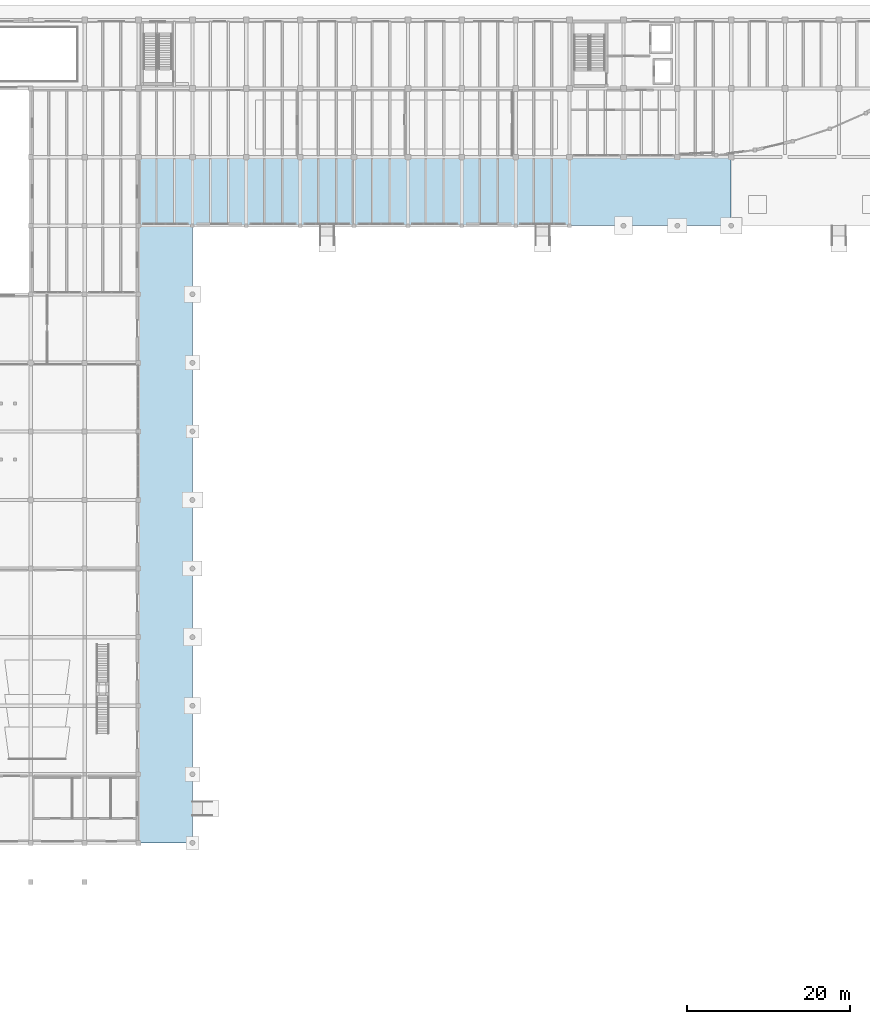
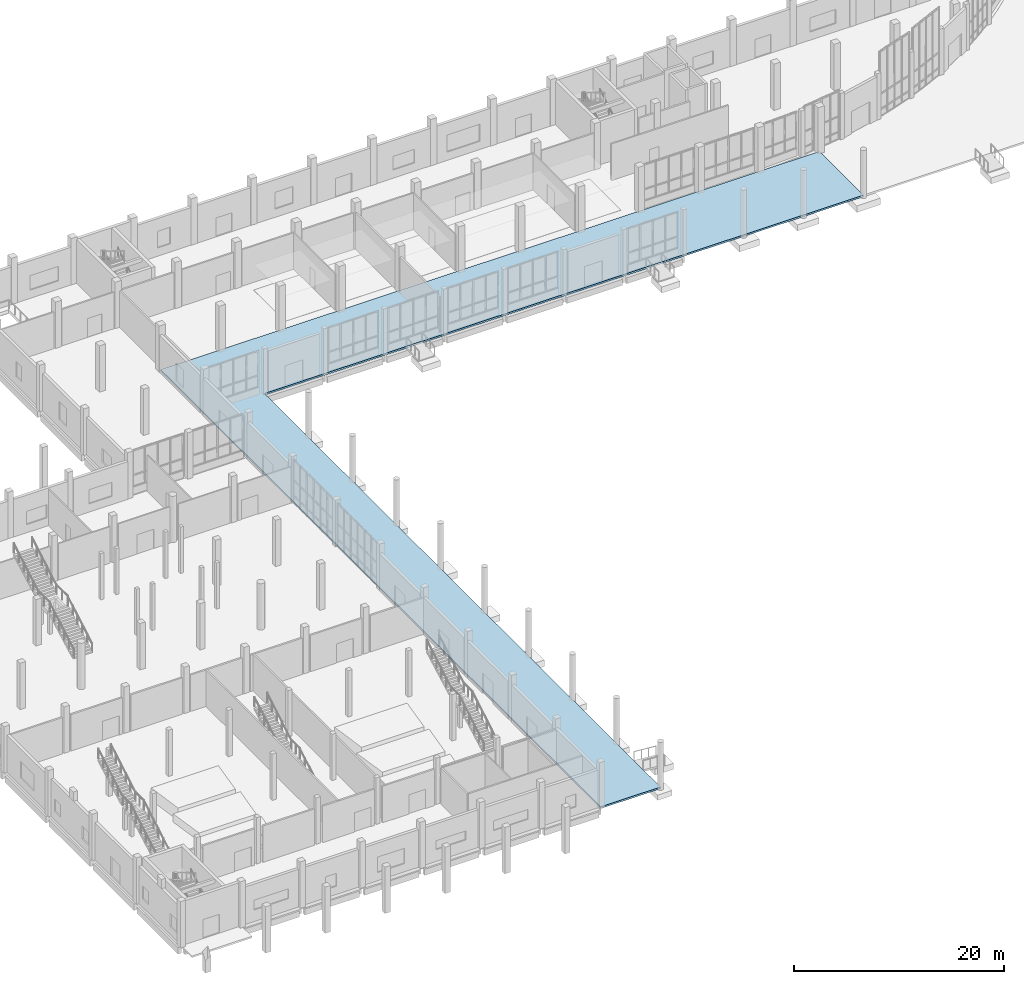
# One storey, part 29 of 64: 1 slab.
"""IFC4 building model written with IfcOpenShell, lengths in metres."""

import ifcopenshell
import ifcopenshell.guid

model = None  # the IFC model being written
_history = None  # IfcOwnerHistory: only IFC2X3 demands one
_inside = {}  # id of a spatial element -> (the spatial element, [elements in it])
_under = {}  # id of a project, library or spatial element -> (it, [spatial elements below it])
_declared = {}  # id of a project -> (the project, [libraries it declares])
_typed = {}  # id of a type object -> (the type object, [elements of that type])
_made_of = {}  # id of a material, layer set ... -> (it, [elements and type objects made of it])


def new_model(schema):
    """Start an empty IFC model of exactly this schema.

    Asked for "IFC4X3", IfcOpenShell would pick the latest addendum, in which some entities
    have other attributes; the version numbers below select the first issue.
    IFC2X3 requires an IfcOwnerHistory on every rooted entity: one is made here for all.
    """
    global model, _history
    if schema == "IFC4X3":
        model = ifcopenshell.file(schema_version=(4, 3, 0, 0))
    else:
        model = ifcopenshell.file(schema=schema)
    _inside.clear()
    _under.clear()
    _declared.clear()
    _typed.clear()
    _made_of.clear()
    _history = None
    if model.schema == "IFC2X3":
        org = make("IfcOrganization", Name="unknown")
        user = make(
            "IfcPersonAndOrganization",
            ThePerson=make("IfcPerson", FamilyName="unknown"),
            TheOrganization=org,
        )
        app = make(
            "IfcApplication",
            ApplicationDeveloper=org,
            Version="unknown",
            ApplicationFullName="unknown",
            ApplicationIdentifier="unknown",
        )
        _history = make(
            "IfcOwnerHistory",
            OwningUser=user,
            OwningApplication=app,
            ChangeAction="ADDED",
            CreationDate=0,
        )
    return model


def make(cls, **values):
    """One entity of the class cls with the attributes given. An attribute that is None is left unset."""
    return model.create_entity(
        cls, **{name: value for name, value in values.items() if value is not None}
    )


def rooted(cls, **values):
    """An entity with a GlobalId (a new one), such as an element, a storey or a relation."""
    return make(cls, GlobalId=ifcopenshell.guid.new(), OwnerHistory=_history, **values)


def si_unit(unit_type, name, prefix=None):
    """IfcSIUnit, for example si_unit("LENGTHUNIT", "METRE", prefix="MILLI")."""
    return make("IfcSIUnit", UnitType=unit_type, Prefix=prefix, Name=name)


def assignment(units):
    """IfcUnitAssignment: the units of a project."""
    return None if units is None else make("IfcUnitAssignment", Units=units)


def point(xyz):
    """IfcCartesianPoint."""
    return None if xyz is None else make("IfcCartesianPoint", Coordinates=xyz)


def direction(xyz):
    """IfcDirection."""
    return None if xyz is None else make("IfcDirection", DirectionRatios=xyz)


def frame(location, z_axis=None, x_axis=None):
    """IfcAxis2Placement3D, a coordinate frame: its origin and axes. An axis left out is left unset."""
    return make(
        "IfcAxis2Placement3D",
        Location=point(location),
        Axis=direction(z_axis),
        RefDirection=direction(x_axis),
    )


def origin():
    """The frame at (0, 0, 0) with its axes left unset."""
    return frame((0.0, 0.0, 0.0))


def place(relative_to, where):
    """IfcLocalPlacement: puts the frame where relative to a parent placement (None: the world)."""
    return make(
        "IfcLocalPlacement", PlacementRelTo=relative_to, RelativePlacement=where
    )


def context(
    kind, dimensions, precision=None, world=None, true_north=None, identifier=None
):
    """IfcGeometricRepresentationContext, for example the 3D "Model" context."""
    return make(
        "IfcGeometricRepresentationContext",
        ContextIdentifier=identifier,
        ContextType=kind,
        CoordinateSpaceDimension=dimensions,
        Precision=precision,
        WorldCoordinateSystem=world,
        TrueNorth=true_north,
    )


def subcontext(parent, identifier, kind, view, scale=None):
    """IfcGeometricRepresentationSubContext, for example "Body" below "Model"."""
    return make(
        "IfcGeometricRepresentationSubContext",
        ContextIdentifier=identifier,
        ContextType=kind,
        ParentContext=parent,
        TargetScale=scale,
        TargetView=view,
    )


def project(units=None, contexts=None):
    """IfcProject with its units and contexts."""
    return rooted(
        "IfcProject",
        Name="project",
        RepresentationContexts=contexts,
        UnitsInContext=assignment(units),
    )


def spatial(cls, under=None, at=None, **own):
    """A site, building, storey or space (cls), placed at a placement, below another one or the project."""
    s = rooted(cls, ObjectPlacement=at, **own)
    if under is not None:
        _under.setdefault(under.id(), (under, []))[1].append(s)
    return s


def polyline(points):
    """IfcPolyline through the points."""
    return make("IfcPolyline", Points=[point(p) for p in points])


def outline(outer, holes=None, kind="AREA"):
    """IfcArbitraryClosedProfileDef: a profile drawn as a closed curve; with holes, ...WithVoids."""
    if holes is None:
        return make("IfcArbitraryClosedProfileDef", ProfileType=kind, OuterCurve=outer)
    return make(
        "IfcArbitraryProfileDefWithVoids",
        ProfileType=kind,
        OuterCurve=outer,
        InnerCurves=holes,
    )


def extrude(swept, where, along, depth):
    """IfcExtrudedAreaSolid: the profile swept, set in the frame where, extruded along a direction by depth."""
    return make(
        "IfcExtrudedAreaSolid",
        SweptArea=swept,
        Position=where,
        ExtrudedDirection=direction(along),
        Depth=depth,
    )


def shape(context_of_items, identifier, shape_type, items):
    """IfcShapeRepresentation: the items that make up one representation, for example the "Body"."""
    return make(
        "IfcShapeRepresentation",
        ContextOfItems=context_of_items,
        RepresentationIdentifier=identifier,
        RepresentationType=shape_type,
        Items=items,
    )


def material(Name=None, Category=None):
    """IfcMaterial."""
    return make("IfcMaterial", Name=Name, Category=Category)


def layer(
    of_material, thickness, ventilated=None, Name=None, Category=None, Priority=None
):
    """IfcMaterialLayer: one layer of a wall or slab, of a material (None: an air gap)."""
    return make(
        "IfcMaterialLayer",
        Material=of_material,
        LayerThickness=thickness,
        IsVentilated=ventilated,
        Name=Name,
        Category=Category,
        Priority=Priority,
    )


def layer_set(layers, Name=None):
    """IfcMaterialLayerSet."""
    return make("IfcMaterialLayerSet", MaterialLayers=layers, LayerSetName=Name)


def made_of(thing, what):
    """Note that an element or type object is made of a material, layer set ...; save() writes the relation."""
    if what is not None:
        _made_of.setdefault(what.id(), (what, []))[1].append(thing)
    return thing


def type_object(cls, material=None, **own):
    """A type object (cls), such as IfcWallType, which elements share."""
    return made_of(rooted(cls, **own), material)


def element(
    cls,
    number,
    at=None,
    inside=None,
    cuts=None,
    type_object=None,
    material=None,
    context=None,
    identifier="Body",
    shape_type=None,
    held_by="IfcProductDefinitionShape",
    body=None,
    shapes=None,
    **own,
):
    """One element of the class cls, such as IfcWall. Its Tag is "e" and its number.

    at: its placement. inside: the storey or other place that contains it. cuts: it is an
    opening in that element (IfcRelVoidsElement). A single representation is given by context,
    identifier, shape_type and body (its items); several are given by shapes. held_by: the class
    of the entity that holds the representations. save() writes the other relations.
    """
    e = rooted(cls, Tag="e%d" % number, ObjectPlacement=at, **own)
    if body is not None:
        shapes = [shape(context, identifier, shape_type, body)]
    if shapes is not None:
        e.Representation = make(held_by, Representations=shapes)
    if inside is not None:
        _inside.setdefault(inside.id(), (inside, []))[1].append(e)
    if cuts is not None:
        rooted(
            "IfcRelVoidsElement", RelatingBuildingElement=cuts, RelatedOpeningElement=e
        )
    if type_object is not None:
        _typed.setdefault(type_object.id(), (type_object, []))[1].append(e)
    return made_of(e, material)


def aggregate(whole, parts):
    """IfcRelAggregates: a whole, such as a stair, and the parts it consists of."""
    return rooted("IfcRelAggregates", RelatingObject=whole, RelatedObjects=parts)


def save(model, path):
    """Write the relations noted so far, then the file.

    IfcRelAggregates (storeys below a building ...), IfcRelContainedInSpatialStructure (elements
    in a storey), IfcRelDefinesByType, IfcRelAssociatesMaterial and IfcRelDeclares: one each for
    every whole, place, type object, material and project.
    """
    for whole, parts in _under.values():
        aggregate(whole, parts)
    for where, things in _inside.values():
        rooted(
            "IfcRelContainedInSpatialStructure",
            RelatedElements=things,
            RelatingStructure=where,
        )
    for kind, things in _typed.values():
        rooted("IfcRelDefinesByType", RelatedObjects=things, RelatingType=kind)
    for what, things in _made_of.values():
        rooted("IfcRelAssociatesMaterial", RelatedObjects=things, RelatingMaterial=what)
    for by, libraries in _declared.values():
        rooted("IfcRelDeclares", RelatingContext=by, RelatedDefinitions=libraries)
    model.write(path)


model = new_model("IFC4")

# Units and contexts
model_context = context("Model", 3, precision=1e-05, world=origin(), true_north=direction((0.0, 1.0)))
body_context = subcontext(model_context, "Body", "Model", "MODEL_VIEW")
ifc_project = project(units=[si_unit("LENGTHUNIT", "METRE"), si_unit("AREAUNIT", "SQUARE_METRE"), si_unit("VOLUMEUNIT", "CUBIC_METRE"), si_unit("PLANEANGLEUNIT", "RADIAN"), si_unit("MASSUNIT", "GRAM", prefix="KILO")], contexts=[model_context])

# Site, building, storey
site_placement = place(None, origin())
site = spatial("IfcSite", under=ifc_project, at=site_placement, CompositionType="ELEMENT")
building_placement = place(site_placement, origin())
building = spatial("IfcBuilding", under=site, at=building_placement, Name="Qaldarim Faculty of Natural and Applied Sciences", CompositionType="ELEMENT")
storey_placement = place(building_placement, origin())
storey = spatial("IfcBuildingStorey", under=building, at=storey_placement, Name="L00", CompositionType="ELEMENT", Elevation=0.0)

# Slab
ifc_material = material(Name="Concrete C40/50", Category="concrete")
ifc_layer = layer(ifc_material, 0.199951171875)
ifc_layer_set = layer_set([ifc_layer], Name="Concrete C40/50")
slab_type = type_object("IfcSlabType", Name="ColonnadeDeckSlab-200", PredefinedType="FLOOR", material=ifc_layer_set)
slab_placement = place(storey_placement, frame((0.0, 0.0, -0.199951171875)))
element("IfcSlab", 1, at=slab_placement, inside=storey, type_object=slab_type, Name="Civic square colonnade paving apron L00-1", PredefinedType="FLOOR", context=body_context, shape_type="SweptSolid", body=[
    extrude(outline(polyline([(46.199951171875, 16.800048828125), (46.199951171875, 100.800048828125), (118.800048828125, 100.800048828125), (118.800048828125, 92.39990234375), (52.800048828125, 92.39990234375), (52.800048828125, 16.800048828125), (46.199951171875, 16.800048828125)])), origin(), (0.0, 0.0, 1.0), 0.199951171875),
])

save(model, "model.ifc")
